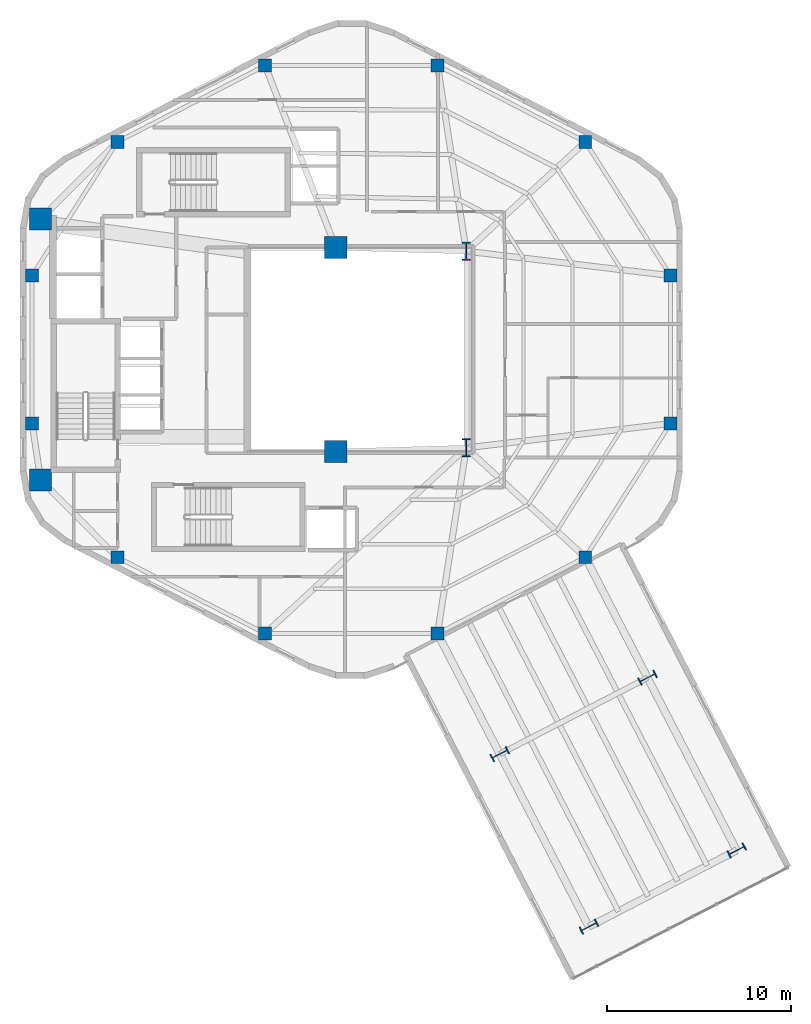
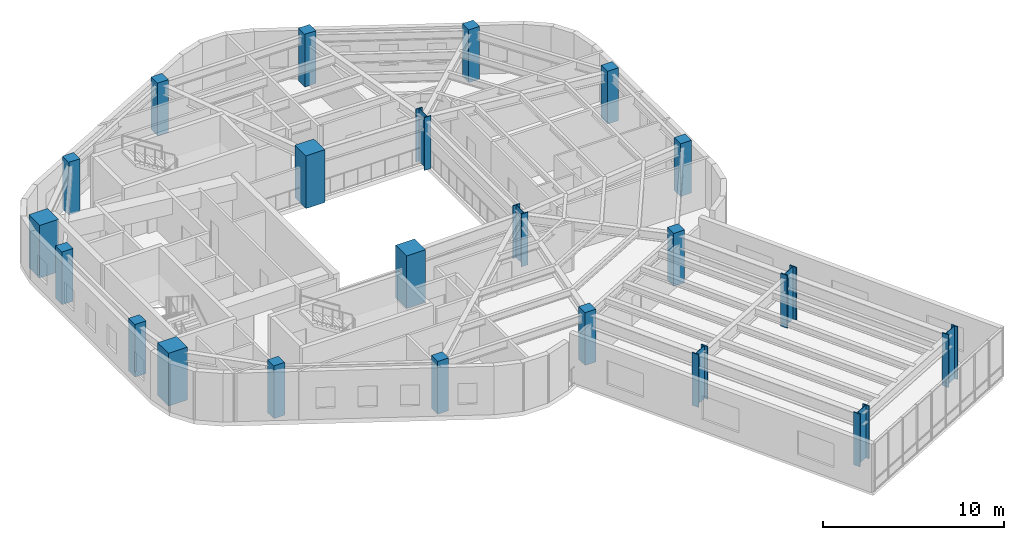
# One storey, part 1 of 10: 22 columns.
"""IFC4 building model written with IfcOpenShell, lengths in metres."""

from ifc_helpers import new_model, si_unit, direction, frame, origin, origin_2d, place, context, subcontext, project, spatial, rectangle, i_section, extrude, material, material_profile, profile_set, type_object, element, save


model = new_model("IFC4")

# Units and contexts
model_context = context("Model", 3, precision=1e-05, world=origin(), true_north=direction((0.0, 1.0)))
body_context = subcontext(model_context, "Body", "Model", "MODEL_VIEW")
ifc_project = project(units=[si_unit("LENGTHUNIT", "METRE"), si_unit("AREAUNIT", "SQUARE_METRE"), si_unit("VOLUMEUNIT", "CUBIC_METRE"), si_unit("PLANEANGLEUNIT", "RADIAN"), si_unit("MASSUNIT", "GRAM", prefix="KILO"), si_unit("THERMODYNAMICTEMPERATUREUNIT", "KELVIN"), si_unit("POWERUNIT", "WATT")], contexts=[model_context])

# Site, building, storey
site_placement = place(None, origin())
site = spatial("IfcSite", under=ifc_project, at=site_placement, CompositionType="ELEMENT")
building_placement = place(site_placement, origin())
building = spatial("IfcBuilding", under=site, at=building_placement, Name="Skarre Station Tower", CompositionType="ELEMENT")
storey_placement = place(building_placement, frame((0.0, 0.0, 238.35009765625)))
storey = spatial("IfcBuildingStorey", under=building, at=storey_placement, Name="L65", CompositionType="ELEMENT", Elevation=238.35009765625)

# Columns
ifc_material_1 = material(Name="Concrete C60/75", Category="concrete")
ifc_material_profile_1 = material_profile(ifc_material_1, rectangle(XDim=1.199951171875, YDim=1.199951171875, at=origin_2d()), Name="Concrete C60/75")
ifc_profile_set_1 = profile_set([ifc_material_profile_1], Name="Concrete C60/75")
column_type_1 = type_object("IfcColumnType", Name="RC Structural Column RC-COL-1200X1200", PredefinedType="COLUMN", material=ifc_profile_set_1)
for number, where, z_axis, x_axis, name in (
    (1, (16.300048828125, 16.89990234375, 0.0), (0.0, 0.0, 1.0), (1.0, 0.0, 0.0), "L65 Core Column CC-SW"),
    (2, (16.300048828125, 31.10009765625, 0.0), (0.0, 0.0, 1.0), (1.0, 0.0, 0.0), "L65 Core Column CC-NW"),
    (3, (32.35009765625, 18.449951171875, 0.0), (0.0, 0.0, 1.0), (1.0, 0.0, 0.0), "L65 Core Column CC-SE"),
    (4, (32.35009765625, 29.550048828125, 0.0), (0.0, 0.0, 1.0), (1.0, 0.0, 0.0), "L65 Core Column CC-NE"),
):
    element("IfcColumn", number, at=place(storey_placement, frame(where, z_axis=z_axis, x_axis=x_axis)), inside=storey, type_object=column_type_1, Name=name, PredefinedType="COLUMN", context=body_context, shape_type="SweptSolid", body=[
        extrude(rectangle(XDim=1.199951171875, YDim=1.199951171875, at=origin_2d()), origin(), (0.0, 0.0, 1.0), 3.5498046875),
    ])
ifc_material_2 = material(Name="Concrete C50/60", Category="concrete")
ifc_material_profile_2 = material_profile(ifc_material_2, rectangle(XDim=0.699951171875, YDim=0.699951171875, at=origin_2d()), Name="Concrete C50/60")
ifc_profile_set_2 = profile_set([ifc_material_profile_2], Name="Concrete C50/60")
column_type_2 = type_object("IfcColumnType", Name="RC Structural Column RC-COL-700X700", PredefinedType="COLUMN", material=ifc_profile_set_2)
for number, where, z_axis, x_axis, name in (
    (5, (45.927001953125, 35.298095703125, 0.0), (0.0, 0.0, 1.0), (1.0, 0.0, 0.0), "L65 Zone 4 Perimeter Column F0C1"),
    (6, (37.888916015625, 39.447021484375, 0.0), (0.0, 0.0, 1.0), (1.0, 0.0, 0.0), "L65 Zone 4 Perimeter Column F0C2"),
    (7, (28.510986328125, 39.447021484375, 0.0), (0.0, 0.0, 1.0), (1.0, 0.0, 0.0), "L65 Zone 4 Perimeter Column F1C1"),
    (8, (20.472900390625, 35.298095703125, 0.0), (0.0, 0.0, 1.0), (1.0, 0.0, 0.0), "L65 Zone 4 Perimeter Column F1C2"),
    (9, (15.8369140625, 28.02099609375, 0.0), (0.0, 0.0, 1.0), (1.0, 0.0, 0.0), "L65 Zone 4 Perimeter Column F2C1"),
    (10, (15.8369140625, 19.97900390625, 0.0), (0.0, 0.0, 1.0), (1.0, 0.0, 0.0), "L65 Zone 4 Perimeter Column F2C2"),
    (11, (20.472900390625, 12.701904296875, 0.0), (0.0, 0.0, 1.0), (1.0, 0.0, 0.0), "L65 Zone 4 Perimeter Column F3C1"),
    (12, (28.510986328125, 8.552978515625, 0.0), (0.0, 0.0, 1.0), (1.0, 0.0, 0.0), "L65 Zone 4 Perimeter Column F3C2"),
    (13, (37.888916015625, 8.552978515625, 0.0), (0.0, 0.0, 1.0), (1.0, 0.0, 0.0), "L65 Zone 4 Perimeter Column F4C1"),
    (14, (45.927001953125, 12.701904296875, 0.0), (0.0, 0.0, 1.0), (1.0, 0.0, 0.0), "L65 Zone 4 Perimeter Column F4C2"),
    (15, (50.56298828125, 19.97900390625, 0.0), (0.0, 0.0, 1.0), (1.0, 0.0, 0.0), "L65 Zone 4 Perimeter Column F5C1"),
    (16, (50.56298828125, 28.02099609375, 0.0), (0.0, 0.0, 1.0), (1.0, 0.0, 0.0), "L65 Zone 4 Perimeter Column F5C2"),
):
    element("IfcColumn", number, at=place(storey_placement, frame(where, z_axis=z_axis, x_axis=x_axis)), inside=storey, type_object=column_type_2, Name=name, PredefinedType="COLUMN", context=body_context, shape_type="SweptSolid", body=[
        extrude(rectangle(XDim=0.699951171875, YDim=0.699951171875, at=origin_2d()), origin(), (0.0, 0.0, 1.0), 3.5498046875),
    ])
ifc_material_3 = material(Name="Steel ASTM A913 Grade 65", Category="steel")
ifc_material_profile_3 = material_profile(ifc_material_3, i_section(OverallWidth=0.430908203125, OverallDepth=0.987060546875, WebThickness=0.033935546875, FlangeThickness=0.06201171875, at=origin_2d()), Name="Steel ASTM A913 Grade 65")
ifc_profile_set_3 = profile_set([ifc_material_profile_3], Name="Steel ASTM A913 Grade 65")
column_type_3 = type_object("IfcColumnType", Name="Steel Column W36X441", PredefinedType="COLUMN", material=ifc_profile_set_3)
for number, where, z_axis, x_axis, name in (
    (17, (39.449951171875, 18.64990234375, 0.0), (0.0, 0.0, 1.0), (1.0, 0.0, 0.0), "L65 Atrium Spine Column AC-SE"),
    (18, (39.449951171875, 29.35009765625, 0.0), (0.0, 0.0, 1.0), (1.0, 0.0, 0.0), "L65 Atrium Spine Column AC-NE"),
    (19, (41.27392578125, 1.9951171875, 0.0), (0.0, 0.0, 1.0), (0.458711590553, -0.88858521071, 0.0), "L65 SB-5 Sky-Bar Frame Column M1"),
    (20, (49.31201171875, 6.14404296875, 0.0), (0.0, 0.0, 1.0), (0.458711590553, -0.88858521071, 0.0), "L65 SB-5 Sky-Bar Frame Column M2"),
    (21, (46.123046875, -7.39697265625, 0.0), (0.0, 0.0, 1.0), (0.458711590553, -0.88858521071, 0.0), "L65 SB-5 Sky-Bar Frame Column T1"),
    (22, (54.160888671875, -3.248046875, 0.0), (0.0, 0.0, 1.0), (0.458711590553, -0.88858521071, 0.0), "L65 SB-5 Sky-Bar Frame Column T2"),
):
    element("IfcColumn", number, at=place(storey_placement, frame(where, z_axis=z_axis, x_axis=x_axis)), inside=storey, type_object=column_type_3, Name=name, PredefinedType="COLUMN", context=body_context, shape_type="SweptSolid", body=[
        extrude(i_section(OverallWidth=0.430908203125, OverallDepth=0.987060546875, WebThickness=0.033935546875, FlangeThickness=0.06201171875, at=origin_2d()), origin(), (0.0, 0.0, 1.0), 3.5498046875),
    ])

save(model, "model.ifc")
